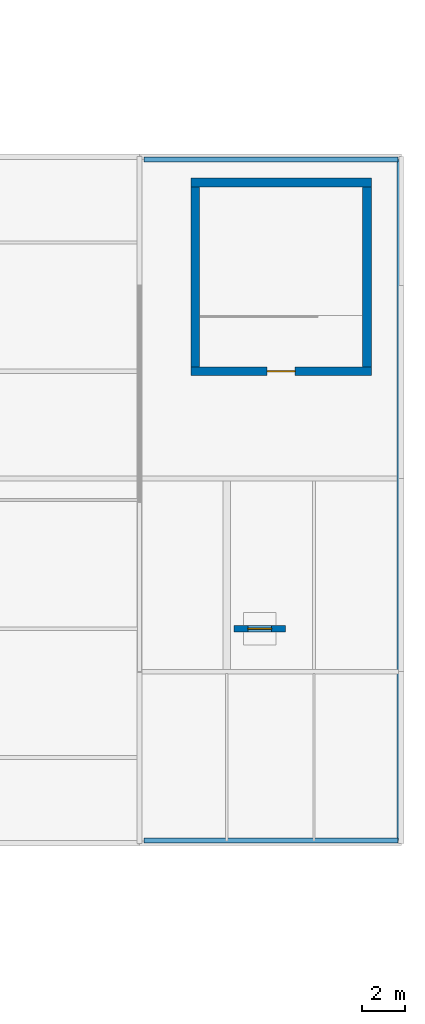
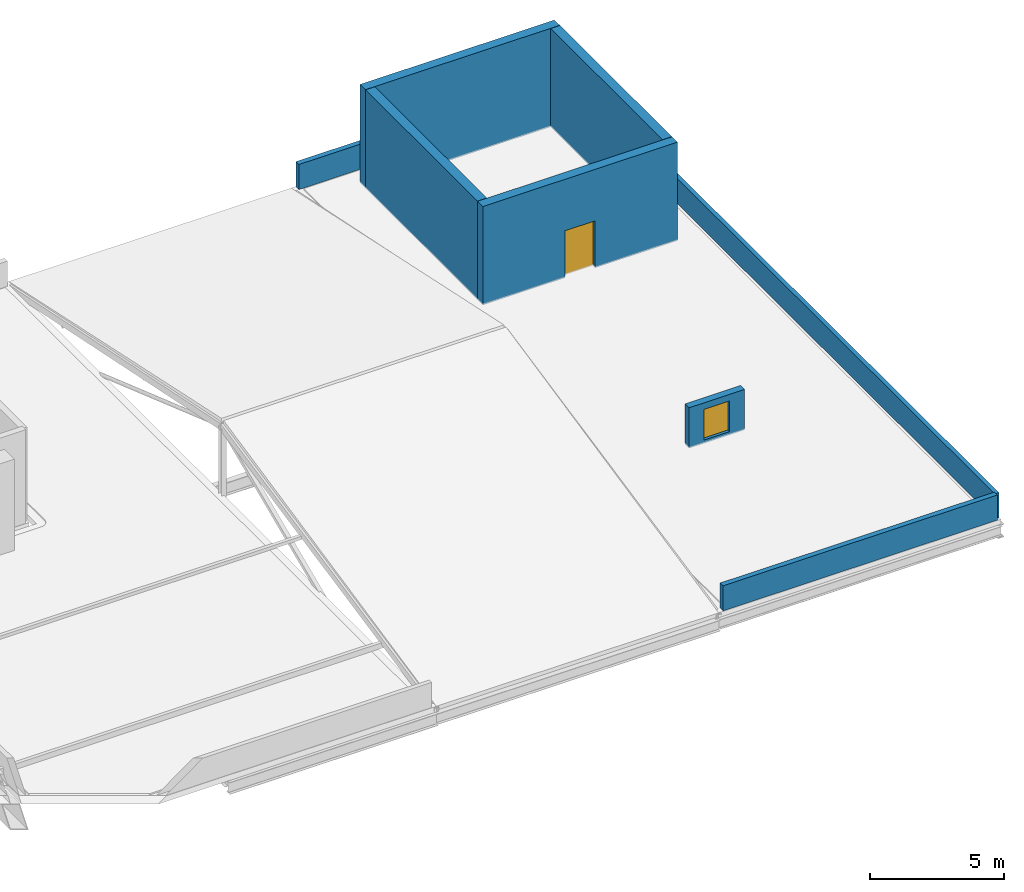
# One storey, part 80 of 85: 8 walls, 2 doors, 2 openings.
"""IFC4 building model written with IfcOpenShell, lengths in metres."""

import ifcopenshell
import ifcopenshell.guid

model = None  # the IFC model being written
_history = None  # IfcOwnerHistory: only IFC2X3 demands one
_inside = {}  # id of a spatial element -> (the spatial element, [elements in it])
_under = {}  # id of a project, library or spatial element -> (it, [spatial elements below it])
_declared = {}  # id of a project -> (the project, [libraries it declares])
_typed = {}  # id of a type object -> (the type object, [elements of that type])
_made_of = {}  # id of a material, layer set ... -> (it, [elements and type objects made of it])


def new_model(schema):
    """Start an empty IFC model of exactly this schema.

    Asked for "IFC4X3", IfcOpenShell would pick the latest addendum, in which some entities
    have other attributes; the version numbers below select the first issue.
    IFC2X3 requires an IfcOwnerHistory on every rooted entity: one is made here for all.
    """
    global model, _history
    if schema == "IFC4X3":
        model = ifcopenshell.file(schema_version=(4, 3, 0, 0))
    else:
        model = ifcopenshell.file(schema=schema)
    _inside.clear()
    _under.clear()
    _declared.clear()
    _typed.clear()
    _made_of.clear()
    _history = None
    if model.schema == "IFC2X3":
        org = make("IfcOrganization", Name="unknown")
        user = make(
            "IfcPersonAndOrganization",
            ThePerson=make("IfcPerson", FamilyName="unknown"),
            TheOrganization=org,
        )
        app = make(
            "IfcApplication",
            ApplicationDeveloper=org,
            Version="unknown",
            ApplicationFullName="unknown",
            ApplicationIdentifier="unknown",
        )
        _history = make(
            "IfcOwnerHistory",
            OwningUser=user,
            OwningApplication=app,
            ChangeAction="ADDED",
            CreationDate=0,
        )
    return model


def make(cls, **values):
    """One entity of the class cls with the attributes given. An attribute that is None is left unset."""
    return model.create_entity(
        cls, **{name: value for name, value in values.items() if value is not None}
    )


def rooted(cls, **values):
    """An entity with a GlobalId (a new one), such as an element, a storey or a relation."""
    return make(cls, GlobalId=ifcopenshell.guid.new(), OwnerHistory=_history, **values)


def si_unit(unit_type, name, prefix=None):
    """IfcSIUnit, for example si_unit("LENGTHUNIT", "METRE", prefix="MILLI")."""
    return make("IfcSIUnit", UnitType=unit_type, Prefix=prefix, Name=name)


def derived_unit(unit_type, elements):
    """IfcDerivedUnit: a product of units, each with its exponent."""
    return make(
        "IfcDerivedUnit",
        Elements=[
            make("IfcDerivedUnitElement", Unit=unit, Exponent=power)
            for unit, power in elements
        ],
        UnitType=unit_type,
    )


def assignment(units):
    """IfcUnitAssignment: the units of a project."""
    return None if units is None else make("IfcUnitAssignment", Units=units)


def point(xyz):
    """IfcCartesianPoint."""
    return None if xyz is None else make("IfcCartesianPoint", Coordinates=xyz)


def direction(xyz):
    """IfcDirection."""
    return None if xyz is None else make("IfcDirection", DirectionRatios=xyz)


def frame(location, z_axis=None, x_axis=None):
    """IfcAxis2Placement3D, a coordinate frame: its origin and axes. An axis left out is left unset."""
    return make(
        "IfcAxis2Placement3D",
        Location=point(location),
        Axis=direction(z_axis),
        RefDirection=direction(x_axis),
    )


def frame_2d(location, x_axis=None):
    """IfcAxis2Placement2D, a coordinate frame in the plane: its origin and x axis."""
    return make(
        "IfcAxis2Placement2D", Location=point(location), RefDirection=direction(x_axis)
    )


def origin():
    """The frame at (0, 0, 0) with its axes left unset."""
    return frame((0.0, 0.0, 0.0))


def place(relative_to, where):
    """IfcLocalPlacement: puts the frame where relative to a parent placement (None: the world)."""
    return make(
        "IfcLocalPlacement", PlacementRelTo=relative_to, RelativePlacement=where
    )


def context(
    kind, dimensions, precision=None, world=None, true_north=None, identifier=None
):
    """IfcGeometricRepresentationContext, for example the 3D "Model" context."""
    return make(
        "IfcGeometricRepresentationContext",
        ContextIdentifier=identifier,
        ContextType=kind,
        CoordinateSpaceDimension=dimensions,
        Precision=precision,
        WorldCoordinateSystem=world,
        TrueNorth=true_north,
    )


def subcontext(parent, identifier, kind, view, scale=None):
    """IfcGeometricRepresentationSubContext, for example "Body" below "Model"."""
    return make(
        "IfcGeometricRepresentationSubContext",
        ContextIdentifier=identifier,
        ContextType=kind,
        ParentContext=parent,
        TargetScale=scale,
        TargetView=view,
    )


def project(units=None, contexts=None):
    """IfcProject with its units and contexts."""
    return rooted(
        "IfcProject",
        Name="project",
        RepresentationContexts=contexts,
        UnitsInContext=assignment(units),
    )


def spatial(cls, under=None, at=None, **own):
    """A site, building, storey or space (cls), placed at a placement, below another one or the project."""
    s = rooted(cls, ObjectPlacement=at, **own)
    if under is not None:
        _under.setdefault(under.id(), (under, []))[1].append(s)
    return s


def profile(cls, at=None, kind="AREA", **sizes):
    """A parametric profile (cls). Its sizes go by their IFC names, for example OverallWidth=200.0."""
    return make(cls, ProfileType=kind, Position=at, **sizes)


def rectangle(**sizes):
    """IfcRectangleProfileDef."""
    return profile("IfcRectangleProfileDef", **sizes)


def extrude(swept, where, along, depth):
    """IfcExtrudedAreaSolid: the profile swept, set in the frame where, extruded along a direction by depth."""
    return make(
        "IfcExtrudedAreaSolid",
        SweptArea=swept,
        Position=where,
        ExtrudedDirection=direction(along),
        Depth=depth,
    )


def shape(context_of_items, identifier, shape_type, items):
    """IfcShapeRepresentation: the items that make up one representation, for example the "Body"."""
    return make(
        "IfcShapeRepresentation",
        ContextOfItems=context_of_items,
        RepresentationIdentifier=identifier,
        RepresentationType=shape_type,
        Items=items,
    )


def material(Name=None, Category=None):
    """IfcMaterial."""
    return make("IfcMaterial", Name=Name, Category=Category)


def layer(
    of_material, thickness, ventilated=None, Name=None, Category=None, Priority=None
):
    """IfcMaterialLayer: one layer of a wall or slab, of a material (None: an air gap)."""
    return make(
        "IfcMaterialLayer",
        Material=of_material,
        LayerThickness=thickness,
        IsVentilated=ventilated,
        Name=Name,
        Category=Category,
        Priority=Priority,
    )


def layer_set(layers, Name=None):
    """IfcMaterialLayerSet."""
    return make("IfcMaterialLayerSet", MaterialLayers=layers, LayerSetName=Name)


def made_of(thing, what):
    """Note that an element or type object is made of a material, layer set ...; save() writes the relation."""
    if what is not None:
        _made_of.setdefault(what.id(), (what, []))[1].append(thing)
    return thing


def type_object(cls, material=None, **own):
    """A type object (cls), such as IfcWallType, which elements share."""
    return made_of(rooted(cls, **own), material)


def element(
    cls,
    number,
    at=None,
    inside=None,
    cuts=None,
    type_object=None,
    material=None,
    context=None,
    identifier="Body",
    shape_type=None,
    held_by="IfcProductDefinitionShape",
    body=None,
    shapes=None,
    **own,
):
    """One element of the class cls, such as IfcWall. Its Tag is "e" and its number.

    at: its placement. inside: the storey or other place that contains it. cuts: it is an
    opening in that element (IfcRelVoidsElement). A single representation is given by context,
    identifier, shape_type and body (its items); several are given by shapes. held_by: the class
    of the entity that holds the representations. save() writes the other relations.
    """
    e = rooted(cls, Tag="e%d" % number, ObjectPlacement=at, **own)
    if body is not None:
        shapes = [shape(context, identifier, shape_type, body)]
    if shapes is not None:
        e.Representation = make(held_by, Representations=shapes)
    if inside is not None:
        _inside.setdefault(inside.id(), (inside, []))[1].append(e)
    if cuts is not None:
        rooted(
            "IfcRelVoidsElement", RelatingBuildingElement=cuts, RelatedOpeningElement=e
        )
    if type_object is not None:
        _typed.setdefault(type_object.id(), (type_object, []))[1].append(e)
    return made_of(e, material)


def fill(opening, filler):
    """IfcRelFillsElement: the door or window that sits in an opening."""
    return rooted(
        "IfcRelFillsElement",
        RelatingOpeningElement=opening,
        RelatedBuildingElement=filler,
    )


def aggregate(whole, parts):
    """IfcRelAggregates: a whole, such as a stair, and the parts it consists of."""
    return rooted("IfcRelAggregates", RelatingObject=whole, RelatedObjects=parts)


def save(model, path):
    """Write the relations noted so far, then the file.

    IfcRelAggregates (storeys below a building ...), IfcRelContainedInSpatialStructure (elements
    in a storey), IfcRelDefinesByType, IfcRelAssociatesMaterial and IfcRelDeclares: one each for
    every whole, place, type object, material and project.
    """
    for whole, parts in _under.values():
        aggregate(whole, parts)
    for where, things in _inside.values():
        rooted(
            "IfcRelContainedInSpatialStructure",
            RelatedElements=things,
            RelatingStructure=where,
        )
    for kind, things in _typed.values():
        rooted("IfcRelDefinesByType", RelatedObjects=things, RelatingType=kind)
    for what, things in _made_of.values():
        rooted("IfcRelAssociatesMaterial", RelatedObjects=things, RelatingMaterial=what)
    for by, libraries in _declared.values():
        rooted("IfcRelDeclares", RelatingContext=by, RelatedDefinitions=libraries)
    model.write(path)


model = new_model("IFC4")

# Units and contexts
model_context = context("Model", 3, precision=1e-05, world=origin(), true_north=direction((0.0, 1.0)))
body_context = subcontext(model_context, "Body", "Model", "MODEL_VIEW")
ifc_project = project(units=[si_unit("LENGTHUNIT", "METRE"), si_unit("AREAUNIT", "SQUARE_METRE"), si_unit("VOLUMEUNIT", "CUBIC_METRE"), si_unit("PLANEANGLEUNIT", "RADIAN"), si_unit("MASSUNIT", "GRAM", prefix="KILO"), derived_unit("THERMALTRANSMITTANCEUNIT", [(si_unit("POWERUNIT", "WATT"), 1), (si_unit("LENGTHUNIT", "METRE"), -2), (si_unit("THERMODYNAMICTEMPERATUREUNIT", "KELVIN"), -1)])], contexts=[model_context])

# Site, building, storey
site_placement = place(None, origin())
site = spatial("IfcSite", under=ifc_project, at=site_placement, CompositionType="ELEMENT")
building_placement = place(site_placement, origin())
building = spatial("IfcBuilding", under=site, at=building_placement, Name="Nallur Shell Playhouse", CompositionType="ELEMENT")
storey_placement = place(building_placement, frame((0.0, 0.0, 19.800048828125)))
storey = spatial("IfcBuildingStorey", under=building, at=storey_placement, Name="L05", CompositionType="ELEMENT", Elevation=19.800048828125)

# Wall, opening, door
ifc_material_1 = material(Name="Concrete M45", Category="concrete")
ifc_layer_1 = layer(ifc_material_1, 0.39990234375)
ifc_layer_set_1 = layer_set([ifc_layer_1], Name="Concrete M45")
wall_type_1 = type_object("IfcWallType", Name="WL-CORE-400", PredefinedType="SHEAR", material=ifc_layer_set_1)
wall_1_placement = place(storey_placement, frame((150.0, 46.0, 0.0), z_axis=(0.0, 0.0, 1.0), x_axis=(1.0, 0.0, 0.0)))
wall_1 = element("IfcWall", 1, at=wall_1_placement, inside=storey, type_object=wall_type_1, Name="Joint Core JC-5 shear wall S (L05)", PredefinedType="SHEAR", context=body_context, shape_type="SweptSolid", body=[
    extrude(rectangle(XDim=8.39990234375, YDim=0.39990234375, at=frame_2d((4.199951171875, 0.0))), origin(), (0.0, 0.0, 1.0), 4.5),
])
opening_1_placement = place(wall_1_placement, frame((3.550048828125, 0.0, 0.0)))
opening_1 = element("IfcOpeningElement", 2, at=opening_1_placement, cuts=wall_1, Name="Opening FD-ST1", PredefinedType="OPENING", context=body_context, shape_type="SweptSolid", body=[
    extrude(rectangle(XDim=1.300048828125, YDim=2.14990234375, at=frame_2d((0.64990234375, 1.074951171875))), frame((0.0, 0.2099609375, 0.0), z_axis=(0.0, -1.0, 0.0), x_axis=(1.0, 0.0, 0.0)), (0.0, 0.0, 1.0), 0.419921875),
])
ifc_material_2 = material(Name="Galvanised Steel Fire-Rated Stair Door", Category="steel")
door_type_1 = type_object("IfcDoorType", Name="DR-INT-STAIR-L", OperationType="SINGLE_SWING_LEFT", PredefinedType="DOOR", material=ifc_material_2)
door_1_placement = place(opening_1_placement, origin())
door_1 = element("IfcDoor", 3, at=door_1_placement, inside=storey, type_object=door_type_1, Name="Exit stair ST-05 fire door (L05)", OperationType="SINGLE_SWING_LEFT", OverallHeight=2.14990234375, OverallWidth=1.300048828125, PredefinedType="DOOR", context=body_context, shape_type="SweptSolid", body=[
    extrude(rectangle(XDim=1.300048828125, YDim=2.14990234375, at=frame_2d((0.64990234375, 1.074951171875))), frame((0.0, 0.02490234375, 0.0), z_axis=(0.0, -1.0, 0.0), x_axis=(1.0, 0.0, 0.0)), (0.0, 0.0, 1.0), 0.050048828125),
])
fill(opening_1, door_1)

# Walls
wall_2_placement = place(storey_placement, frame((158.39990234375, 54.800048828125, 0.0), z_axis=(0.0, 0.0, 1.0), x_axis=(-1.0, 0.0, 0.0)))
element("IfcWall", 4, at=wall_2_placement, inside=storey, type_object=wall_type_1, Name="Joint Core JC-5 shear wall N (L05)", PredefinedType="SHEAR", context=body_context, shape_type="SweptSolid", body=[
    extrude(rectangle(XDim=8.39990234375, YDim=0.39990234375, at=frame_2d((4.199951171875, 0.0))), origin(), (0.0, 0.0, 1.0), 4.5),
])
for number, where, z_axis, x_axis, name in (
    (5, (158.199951171875, 46.2099609375, 0.0), (0.0, 0.0, 1.0), (0.0, 1.0, 0.0), "Joint Core JC-5 shear wall E (L05)"),
    (6, (150.199951171875, 54.590087890625, 0.0), (0.0, 0.0, 1.0), (0.0, -1.0, 0.0), "Joint Core JC-5 shear wall W (L05)"),
):
    element("IfcWall", number, at=place(storey_placement, frame(where, z_axis=z_axis, x_axis=x_axis)), inside=storey, type_object=wall_type_1, Name=name, PredefinedType="SHEAR", context=body_context, shape_type="SweptSolid", body=[
        extrude(rectangle(XDim=8.380126953125, YDim=0.39990234375, at=frame_2d((4.18994140625, 0.0))), origin(), (0.0, 0.0, 1.0), 4.5),
    ])

# Wall, opening, door
ifc_material_3 = material(Name="Concrete M35", Category="concrete")
ifc_layer_2 = layer(ifc_material_3, 0.300048828125)
ifc_layer_set_2 = layer_set([ifc_layer_2], Name="Concrete M35")
wall_type_2 = type_object("IfcWallType", Name="WL-EXT-RC300", PredefinedType="STANDARD", material=ifc_layer_set_2)
wall_3_placement = place(storey_placement, frame((152.0, 34.0, 0.0), z_axis=(0.0, 0.0, 1.0), x_axis=(1.0, 0.0, 0.0)))
wall_3 = element("IfcWall", 7, at=wall_3_placement, inside=storey, type_object=wall_type_2, Name="L05 roof access hatch bulkhead wall 04", PredefinedType="STANDARD", context=body_context, shape_type="SweptSolid", body=[
    extrude(rectangle(XDim=2.39990234375, YDim=0.300048828125, at=frame_2d((1.199951171875, 0.0))), origin(), (0.0, 0.0, 1.0), 1.849853515625),
])
opening_2_placement = place(wall_3_placement, frame((0.64990234375, 0.0, 0.14990234375)))
opening_2 = element("IfcOpeningElement", 8, at=opening_2_placement, cuts=wall_3, Name="Opening RH-01", PredefinedType="OPENING", context=body_context, shape_type="SweptSolid", body=[
    extrude(rectangle(XDim=1.10009765625, YDim=1.39990234375, at=frame_2d((0.550048828125, 0.699951171875))), frame((0.0, 0.16015625, 0.0), z_axis=(0.0, -1.0, 0.0), x_axis=(1.0, 0.0, 0.0)), (0.0, 0.0, 1.0), 0.320068359375),
])
ifc_material_4 = material(Name="Insulated Weatherproof Roof Access Hatch Door")
door_type_2 = type_object("IfcDoorType", Name="DR-ROOF-HATCH", OperationType="SINGLE_SWING_LEFT", PredefinedType="TRAPDOOR", material=ifc_material_4)
door_2_placement = place(opening_2_placement, origin())
door_2 = element("IfcDoor", 9, at=door_2_placement, inside=storey, type_object=door_type_2, Name="Roof access trapdoor hatch RH-04", OperationType="SINGLE_SWING_LEFT", OverallHeight=1.39990234375, OverallWidth=1.10009765625, PredefinedType="TRAPDOOR", context=body_context, shape_type="SweptSolid", body=[
    extrude(rectangle(XDim=1.10009765625, YDim=1.39990234375, at=frame_2d((0.550048828125, 0.699951171875))), frame((0.0, 0.02490234375, 0.0), z_axis=(0.0, -1.0, 0.0), x_axis=(1.0, 0.0, 0.0)), (0.0, 0.0, 1.0), 0.050048828125),
])
fill(opening_2, door_2)

# Walls
ifc_layer_3 = layer(ifc_material_3, 0.179931640625)
ifc_layer_set_3 = layer_set([ifc_layer_3], Name="Concrete M35")
wall_type_3 = type_object("IfcWallType", Name="WL-PARAPET-180", PredefinedType="PARAPET", material=ifc_layer_set_3)
wall_4_placement = place(storey_placement, frame((159.68994140625, 55.8701171875, 0.0), z_axis=(0.0, 0.0, 1.0), x_axis=(0.0, -1.0, 0.0)))
element("IfcWall", 10, at=wall_4_placement, inside=storey, type_object=wall_type_3, Name="L05 concrete roof parapet PAR-032", PredefinedType="PARAPET", context=body_context, shape_type="SweptSolid", body=[
    extrude(rectangle(XDim=31.740234375, YDim=0.179931640625, at=frame_2d((15.8701171875, 0.0))), origin(), (0.0, 0.0, 1.0), 1.14990234375),
])
ifc_layer_4 = layer(ifc_material_3, 0.219970703125)
ifc_layer_set_4 = layer_set([ifc_layer_4], Name="Concrete M35")
wall_type_4 = type_object("IfcWallType", Name="WL-PARAPET-220", PredefinedType="PARAPET", material=ifc_layer_set_4)
for number, where, z_axis, x_axis, name in (
    (11, (159.64990234375, 24.1298828125, 0.0), (0.0, 0.0, 1.0), (-1.0, 0.0, 0.0), "L05 concrete roof parapet PAR-030"),
    (12, (147.800048828125, 55.8701171875, 0.0), (0.0, 0.0, 1.0), (1.0, 0.0, 0.0), "L05 concrete roof parapet PAR-031"),
):
    element("IfcWall", number, at=place(storey_placement, frame(where, z_axis=z_axis, x_axis=x_axis)), inside=storey, type_object=wall_type_4, Name=name, PredefinedType="PARAPET", context=body_context, shape_type="SweptSolid", body=[
        extrude(rectangle(XDim=11.849853515625, YDim=0.219970703125, at=frame_2d((5.9248046875, 0.0))), origin(), (0.0, 0.0, 1.0), 1.14990234375),
    ])

save(model, "model.ifc")
